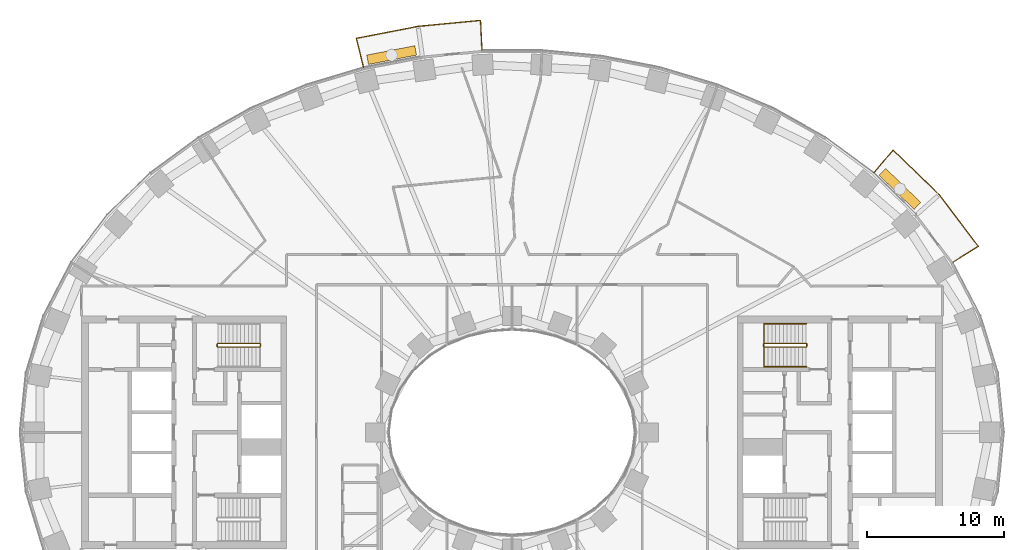
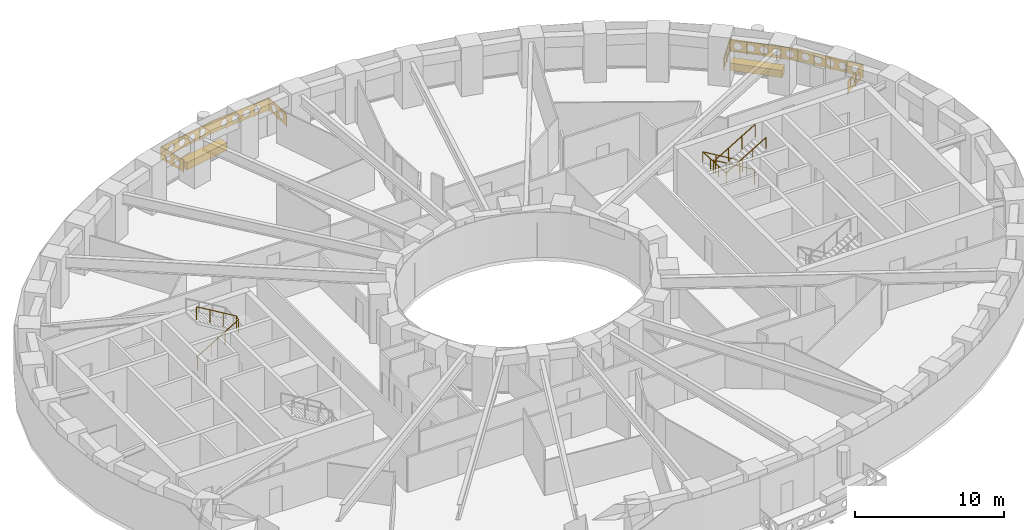
# One storey, part 15 of 16: 5 railings, 2 coverings.
"""IFC4 building model written with IfcOpenShell, lengths in metres."""

from ifc_helpers import new_model, si_unit, direction, frame, origin, origin_2d, place, context, subcontext, project, spatial, polyline, rectangle, outline, extrude, material, type_object, element, save


model = new_model("IFC4")

# Units and contexts
model_context = context("Model", 3, precision=1e-05, world=origin(), true_north=direction((0.0, 1.0)))
body_context = subcontext(model_context, "Body", "Model", "MODEL_VIEW")
ifc_project = project(units=[si_unit("LENGTHUNIT", "METRE"), si_unit("AREAUNIT", "SQUARE_METRE"), si_unit("VOLUMEUNIT", "CUBIC_METRE"), si_unit("PLANEANGLEUNIT", "RADIAN"), si_unit("MASSUNIT", "GRAM", prefix="KILO")], contexts=[model_context])

# Site, building, storey
site_placement = place(None, origin())
site = spatial("IfcSite", under=ifc_project, at=site_placement, CompositionType="ELEMENT")
building_placement = place(site_placement, origin())
building = spatial("IfcBuilding", under=site, at=building_placement, Name="Noorbagh Ring Tower", CompositionType="ELEMENT")
storey_placement = place(building_placement, frame((0.0, 0.0, 42.5)))
storey = spatial("IfcBuildingStorey", under=building, at=storey_placement, Name="L08", CompositionType="ELEMENT", Elevation=42.5)

# Railings
ifc_material_1 = material(Name="Stainless steel", Category="steel")
railing_type_1 = type_object("IfcRailingType", Name="CORE-STAIR-GUARD", PredefinedType="GUARDRAIL", material=ifc_material_1)
railing_1_placement = place(storey_placement, frame((-21.580078125, 6.300048828125, 0.0)))
element("IfcRailing", 1, at=railing_1_placement, inside=storey, type_object=railing_type_1, Name="L08 ST1 stair guard", PredefinedType="GUARDRAIL", context=body_context, shape_type="SweptSolid", body=[
    extrude(rectangle(XDim=0.048095703125, YDim=0.048095703125, at=origin_2d()), frame((0.0, 0.0, 1.076171875), z_axis=(0.0, 1.0, 0.0), x_axis=(-1.0, 0.0, 0.0)), (0.0, 0.0, 1.0), 0.14990234375),
    extrude(rectangle(XDim=0.048095703125, YDim=0.048095703125, at=origin_2d()), frame((0.0, 0.14990234375, 1.076171875), z_axis=(0.188775798145, -0.754182335027, 0.628945707965), x_axis=(0.970072785993, 0.242814311512, 0.0)), (0.0, 0.0, 1.0), 0.26513671875),
    extrude(rectangle(XDim=0.048095703125, YDim=0.048095703125, at=origin_2d()), frame((0.050048828125, -0.050048828125, 1.24267578125), z_axis=(0.859308565015, 0.0, 0.511457515432), x_axis=(0.0, 1.0, 0.0)), (0.0, 0.0, 1.0), 3.58447265625),
    extrude(rectangle(XDim=0.048095703125, YDim=0.048095703125, at=origin_2d()), frame((3.130126953125, -0.050048828125, 3.076171875), z_axis=(0.707106781187, 0.707106781187, 0.0), x_axis=(-0.707106781187, 0.707106781187, 0.0)), (0.0, 0.0, 1.0), 0.07080078125),
    extrude(rectangle(XDim=0.048095703125, YDim=0.048095703125, at=origin_2d()), frame((3.18017578125, 0.0, 3.076171875), z_axis=(0.0, 1.0, 0.0), x_axis=(-1.0, 0.0, 0.0)), (0.0, 0.0, 1.0), 0.14990234375),
    extrude(rectangle(XDim=0.048095703125, YDim=0.048095703125, at=origin_2d()), frame((3.18017578125, 0.14990234375, 3.076171875), z_axis=(-0.27628659633, 0.27628659633, 0.920506074601), x_axis=(-0.707106781187, -0.707106781187, 0.0)), (0.0, 0.0, 1.0), 0.18115234375),
    extrude(rectangle(XDim=0.048095703125, YDim=0.048095703125, at=origin_2d()), frame((3.130126953125, 0.199951171875, 3.24267578125), z_axis=(-0.859308565015, 0.0, 0.511457515432), x_axis=(0.0, -1.0, 0.0)), (0.0, 0.0, 1.0), 3.58447265625),
    extrude(rectangle(XDim=0.0419921875, YDim=0.0419921875, at=origin_2d()), origin(), (0.0, 0.0, 1.0), 1.052001953125),
    extrude(rectangle(XDim=0.0419921875, YDim=0.0419921875, at=origin_2d()), frame((1.07666015625, -0.050048828125, 0.77783203125)), (0.0, 0.0, 1.0), 1.052001953125),
    extrude(rectangle(XDim=0.0419921875, YDim=0.0419921875, at=origin_2d()), frame((2.103515625, -0.050048828125, 1.388916015625)), (0.0, 0.0, 1.0), 1.052001953125),
    extrude(rectangle(XDim=0.0419921875, YDim=0.0419921875, at=origin_2d()), frame((3.130126953125, -0.050048828125, 2.0)), (0.0, 0.0, 1.0), 1.052001953125),
    extrude(rectangle(XDim=0.0419921875, YDim=0.0419921875, at=origin_2d()), frame((3.130126953125, 0.199951171875, 2.166748046875)), (0.0, 0.0, 1.0), 1.052001953125),
    extrude(rectangle(XDim=0.0419921875, YDim=0.0419921875, at=origin_2d()), frame((2.103515625, 0.199951171875, 2.77783203125)), (0.0, 0.0, 1.0), 1.052001953125),
    extrude(rectangle(XDim=0.0419921875, YDim=0.0419921875, at=origin_2d()), frame((1.07666015625, 0.199951171875, 3.388916015625)), (0.0, 0.0, 1.0), 1.052001953125),
    extrude(rectangle(XDim=0.0419921875, YDim=0.0419921875, at=origin_2d()), frame((0.050048828125, 0.199951171875, 4.0)), (0.0, 0.0, 1.0), 1.052001953125),
])
railing_2_placement = place(storey_placement, frame((21.580078125, 6.449951171875, 0.0)))
element("IfcRailing", 2, at=railing_2_placement, inside=storey, type_object=railing_type_1, Name="L08 ST3 stair guard", PredefinedType="GUARDRAIL", context=body_context, shape_type="SweptSolid", body=[
    extrude(rectangle(XDim=0.048095703125, YDim=0.048095703125, at=origin_2d()), frame((0.0, 0.0, 1.076171875), z_axis=(0.0, -1.0, 0.0), x_axis=(1.0, 0.0, 0.0)), (0.0, 0.0, 1.0), 0.14990234375),
    extrude(rectangle(XDim=0.048095703125, YDim=0.048095703125, at=origin_2d()), frame((0.0, -0.14990234375, 1.076171875), z_axis=(-0.188775798145, 0.754182335027, 0.628945707965), x_axis=(-0.970072785993, -0.242814311512, 0.0)), (0.0, 0.0, 1.0), 0.26513671875),
    extrude(rectangle(XDim=0.048095703125, YDim=0.048095703125, at=origin_2d()), frame((-0.050048828125, 0.050048828125, 1.24267578125), z_axis=(-0.859308565015, 0.0, 0.511457515432), x_axis=(0.0, -1.0, 0.0)), (0.0, 0.0, 1.0), 3.58447265625),
    extrude(rectangle(XDim=0.048095703125, YDim=0.048095703125, at=origin_2d()), frame((-3.130126953125, 0.050048828125, 3.076171875), z_axis=(-0.707106781187, -0.707106781187, 0.0), x_axis=(0.707106781187, -0.707106781187, 0.0)), (0.0, 0.0, 1.0), 0.07080078125),
    extrude(rectangle(XDim=0.048095703125, YDim=0.048095703125, at=origin_2d()), frame((-3.18017578125, 0.0, 3.076171875), z_axis=(0.0, -1.0, 0.0), x_axis=(1.0, 0.0, 0.0)), (0.0, 0.0, 1.0), 0.14990234375),
    extrude(rectangle(XDim=0.048095703125, YDim=0.048095703125, at=origin_2d()), frame((-3.18017578125, -0.14990234375, 3.076171875), z_axis=(0.27628659633, -0.27628659633, 0.920506074601), x_axis=(0.707106781187, 0.707106781187, 0.0)), (0.0, 0.0, 1.0), 0.18115234375),
    extrude(rectangle(XDim=0.048095703125, YDim=0.048095703125, at=origin_2d()), frame((-3.130126953125, -0.199951171875, 3.24267578125), z_axis=(0.859308565015, 0.0, 0.511457515432), x_axis=(0.0, 1.0, 0.0)), (0.0, 0.0, 1.0), 3.58447265625),
    extrude(rectangle(XDim=0.0419921875, YDim=0.0419921875, at=origin_2d()), origin(), (0.0, 0.0, 1.0), 1.052001953125),
    extrude(rectangle(XDim=0.0419921875, YDim=0.0419921875, at=origin_2d()), frame((-1.07666015625, 0.050048828125, 0.77783203125)), (0.0, 0.0, 1.0), 1.052001953125),
    extrude(rectangle(XDim=0.0419921875, YDim=0.0419921875, at=origin_2d()), frame((-2.103515625, 0.050048828125, 1.388916015625)), (0.0, 0.0, 1.0), 1.052001953125),
    extrude(rectangle(XDim=0.0419921875, YDim=0.0419921875, at=origin_2d()), frame((-3.130126953125, 0.050048828125, 2.0)), (0.0, 0.0, 1.0), 1.052001953125),
    extrude(rectangle(XDim=0.0419921875, YDim=0.0419921875, at=origin_2d()), frame((-3.130126953125, -0.199951171875, 2.166748046875)), (0.0, 0.0, 1.0), 1.052001953125),
    extrude(rectangle(XDim=0.0419921875, YDim=0.0419921875, at=origin_2d()), frame((-2.103515625, -0.199951171875, 2.77783203125)), (0.0, 0.0, 1.0), 1.052001953125),
    extrude(rectangle(XDim=0.0419921875, YDim=0.0419921875, at=origin_2d()), frame((-1.07666015625, -0.199951171875, 3.388916015625)), (0.0, 0.0, 1.0), 1.052001953125),
    extrude(rectangle(XDim=0.0419921875, YDim=0.0419921875, at=origin_2d()), frame((-0.050048828125, -0.199951171875, 4.0)), (0.0, 0.0, 1.0), 1.052001953125),
])
ifc_material_2 = material(Name="Stainless steel", Category="steel")
railing_type_2 = type_object("IfcRailingType", Name="CORE-STAIR-HANDRAIL", PredefinedType="HANDRAIL", material=ifc_material_2)
railing_3_placement = place(storey_placement, frame((21.530029296875, 7.949951171875, 0.166748046875)))
element("IfcRailing", 3, at=railing_3_placement, inside=storey, type_object=railing_type_2, Name="L08 ST3 stair handrail", PredefinedType="HANDRAIL", context=body_context, shape_type="SweptSolid", body=[
    extrude(rectangle(XDim=0.048095703125, YDim=0.048095703125, at=origin_2d()), frame((0.0, 0.0, 0.8759765625), z_axis=(-0.859308565015, 0.0, 0.511457515432), x_axis=(0.0, -1.0, 0.0)), (0.0, 0.0, 1.0), 3.58447265625),
    extrude(rectangle(XDim=0.048095703125, YDim=0.048095703125, at=origin_2d()), frame((-3.080078125, 0.0, 2.708984375), z_axis=(0.0, -0.998601747152, 0.052863509014), x_axis=(1.0, 0.0, 0.0)), (0.0, 0.0, 1.0), 3.154296875),
    extrude(rectangle(XDim=0.048095703125, YDim=0.048095703125, at=origin_2d()), frame((-3.080078125, -3.14990234375, 2.8759765625), z_axis=(0.859308565015, 0.0, 0.511457515432), x_axis=(0.0, 1.0, 0.0)), (0.0, 0.0, 1.0), 3.58447265625),
    extrude(rectangle(XDim=0.0419921875, YDim=0.0419921875, at=origin_2d()), origin(), (0.0, 0.0, 1.0), 0.851806640625),
    extrude(rectangle(XDim=0.0419921875, YDim=0.0419921875, at=origin_2d()), frame((-1.026611328125, 0.0, 0.611083984375)), (0.0, 0.0, 1.0), 0.851806640625),
    extrude(rectangle(XDim=0.0419921875, YDim=0.0419921875, at=origin_2d()), frame((-2.053466796875, 0.0, 1.22216796875)), (0.0, 0.0, 1.0), 0.851806640625),
    extrude(rectangle(XDim=0.0419921875, YDim=0.0419921875, at=origin_2d()), frame((-3.080078125, 0.0, 1.833251953125)), (0.0, 0.0, 1.0), 0.851806640625),
    extrude(rectangle(XDim=0.0419921875, YDim=0.0419921875, at=origin_2d()), frame((-3.080078125, -1.050048828125, 1.888916015625)), (0.0, 0.0, 1.0), 0.851806640625),
    extrude(rectangle(XDim=0.0419921875, YDim=0.0419921875, at=origin_2d()), frame((-3.080078125, -2.099853515625, 1.9443359375)), (0.0, 0.0, 1.0), 0.851806640625),
    extrude(rectangle(XDim=0.0419921875, YDim=0.0419921875, at=origin_2d()), frame((-3.080078125, -3.14990234375, 2.0)), (0.0, 0.0, 1.0), 0.851806640625),
    extrude(rectangle(XDim=0.0419921875, YDim=0.0419921875, at=origin_2d()), frame((-2.053466796875, -3.14990234375, 2.611083984375)), (0.0, 0.0, 1.0), 0.851806640625),
    extrude(rectangle(XDim=0.0419921875, YDim=0.0419921875, at=origin_2d()), frame((-1.026611328125, -3.14990234375, 3.22216796875)), (0.0, 0.0, 1.0), 0.851806640625),
    extrude(rectangle(XDim=0.0419921875, YDim=0.0419921875, at=origin_2d()), frame((0.0, -3.14990234375, 3.833251953125)), (0.0, 0.0, 1.0), 0.851806640625),
])
ifc_material_3 = material(Name="Steel S275 black powder-coated", Category="steel")
railing_type_3 = type_object("IfcRailingType", Name="ENV-GUARD", PredefinedType="GUARDRAIL", material=ifc_material_3)
railing_4_placement = place(storey_placement, frame((32.255126953125, 12.434814453125, 0.0)))
element("IfcRailing", 4, at=railing_4_placement, inside=storey, type_object=railing_type_3, Name="Balcony guard BN01", PredefinedType="GUARDRAIL", context=body_context, shape_type="SweptSolid", body=[
    extrude(rectangle(XDim=0.048095703125, YDim=0.048095703125, at=origin_2d()), frame((0.0, 0.0, 1.076171875), z_axis=(0.844852397829, 0.534999463442, 0.0), x_axis=(-0.534999463442, 0.844852397829, 0.0)), (0.0, 0.0, 1.0), 2.207763671875),
    extrude(rectangle(XDim=0.048095703125, YDim=0.048095703125, at=origin_2d()), frame((1.865234375, 1.18115234375, 1.076171875), z_axis=(-0.604001613322, 0.796983093362, 0.0), x_axis=(-0.796983093362, -0.604001613322, 0.0)), (0.0, 0.0, 1.0), 4.7353515625),
    extrude(rectangle(XDim=0.048095703125, YDim=0.048095703125, at=origin_2d()), frame((-0.994873046875, 4.955078125, 1.076171875), z_axis=(-0.717212632946, 0.696854388766, 0.0), x_axis=(-0.696854388766, -0.717212632946, 0.0)), (0.0, 0.0, 1.0), 4.700927734375),
    extrude(rectangle(XDim=0.048095703125, YDim=0.048095703125, at=origin_2d()), frame((-4.366455078125, 8.23095703125, 1.076171875), z_axis=(-0.646413574048, -0.762987215677, 0.0), x_axis=(0.762987215677, -0.646413574048, 0.0)), (0.0, 0.0, 1.0), 2.205322265625),
    extrude(rectangle(XDim=0.0419921875, YDim=0.0419921875, at=origin_2d()), origin(), (0.0, 0.0, 1.0), 1.052001953125),
    extrude(rectangle(XDim=0.0419921875, YDim=0.0419921875, at=origin_2d()), frame((0.9326171875, 0.590576171875, 0.0)), (0.0, 0.0, 1.0), 1.052001953125),
    extrude(rectangle(XDim=0.0419921875, YDim=0.0419921875, at=origin_2d()), frame((1.865234375, 1.18115234375, 0.0)), (0.0, 0.0, 1.0), 1.052001953125),
    extrude(rectangle(XDim=0.0419921875, YDim=0.0419921875, at=origin_2d()), frame((1.150146484375, 2.12451171875, 0.0)), (0.0, 0.0, 1.0), 1.052001953125),
    extrude(rectangle(XDim=0.0419921875, YDim=0.0419921875, at=origin_2d()), frame((0.43505859375, 3.068115234375, 0.0)), (0.0, 0.0, 1.0), 1.052001953125),
    extrude(rectangle(XDim=0.0419921875, YDim=0.0419921875, at=origin_2d()), frame((-0.27978515625, 4.01171875, 0.0)), (0.0, 0.0, 1.0), 1.052001953125),
    extrude(rectangle(XDim=0.0419921875, YDim=0.0419921875, at=origin_2d()), frame((-0.994873046875, 4.955078125, 0.0)), (0.0, 0.0, 1.0), 1.052001953125),
    extrude(rectangle(XDim=0.0419921875, YDim=0.0419921875, at=origin_2d()), frame((-1.837890625, 5.77392578125, 0.0)), (0.0, 0.0, 1.0), 1.052001953125),
    extrude(rectangle(XDim=0.0419921875, YDim=0.0419921875, at=origin_2d()), frame((-2.6806640625, 6.593017578125, 0.0)), (0.0, 0.0, 1.0), 1.052001953125),
    extrude(rectangle(XDim=0.0419921875, YDim=0.0419921875, at=origin_2d()), frame((-3.5234375, 7.412109375, 0.0)), (0.0, 0.0, 1.0), 1.052001953125),
    extrude(rectangle(XDim=0.0419921875, YDim=0.0419921875, at=origin_2d()), frame((-4.366455078125, 8.23095703125, 0.0)), (0.0, 0.0, 1.0), 1.052001953125),
    extrude(rectangle(XDim=0.0419921875, YDim=0.0419921875, at=origin_2d()), frame((-5.0791015625, 7.3896484375, 0.0)), (0.0, 0.0, 1.0), 1.052001953125),
    extrude(rectangle(XDim=0.0419921875, YDim=0.0419921875, at=origin_2d()), frame((-5.7919921875, 6.54833984375, 0.0)), (0.0, 0.0, 1.0), 1.052001953125),
    extrude(outline(polyline([(0.0, 0.10009765625), (2.207763671875, 0.10009765625), (2.207763671875, 1.031982421875), (0.0, 1.031982421875), (0.0, 0.10009765625)]), holes=[polyline([(0.9638671875, 0.56591796875), (0.808837890625, 0.83447265625), (0.498779296875, 0.83447265625), (0.343994140625, 0.56591796875), (0.498779296875, 0.297607421875), (0.808837890625, 0.297607421875), (0.9638671875, 0.56591796875)]), polyline([(1.86376953125, 0.56591796875), (1.708984375, 0.83447265625), (1.39892578125, 0.83447265625), (1.243896484375, 0.56591796875), (1.39892578125, 0.297607421875), (1.708984375, 0.297607421875), (1.86376953125, 0.56591796875)])]), frame((-0.00537109375, 0.008544921875, 0.0), z_axis=(0.534999463442, -0.844852397829, 0.0), x_axis=(0.844852397829, 0.534999463442, 0.0)), (0.0, 0.0, 1.0), 0.02001953125),
    extrude(outline(polyline([(0.0, 0.10009765625), (4.7353515625, 0.10009765625), (4.7353515625, 1.031982421875), (0.0, 1.031982421875), (0.0, 0.10009765625)]), holes=[polyline([(0.877685546875, 0.56591796875), (0.72265625, 0.83447265625), (0.41259765625, 0.83447265625), (0.257568359375, 0.56591796875), (0.41259765625, 0.297607421875), (0.72265625, 0.297607421875), (0.877685546875, 0.56591796875)]), polyline([(1.777587890625, 0.56591796875), (1.62255859375, 0.83447265625), (1.312744140625, 0.83447265625), (1.15771484375, 0.56591796875), (1.312744140625, 0.297607421875), (1.62255859375, 0.297607421875), (1.777587890625, 0.56591796875)]), polyline([(2.677734375, 0.56591796875), (2.522705078125, 0.83447265625), (2.212646484375, 0.83447265625), (2.0576171875, 0.56591796875), (2.212646484375, 0.297607421875), (2.522705078125, 0.297607421875), (2.677734375, 0.56591796875)]), polyline([(3.57763671875, 0.56591796875), (3.422607421875, 0.83447265625), (3.112548828125, 0.83447265625), (2.95751953125, 0.56591796875), (3.112548828125, 0.297607421875), (3.422607421875, 0.297607421875), (3.57763671875, 0.56591796875)]), polyline([(4.4775390625, 0.56591796875), (4.32275390625, 0.83447265625), (4.0126953125, 0.83447265625), (3.857666015625, 0.56591796875), (4.0126953125, 0.297607421875), (4.32275390625, 0.297607421875), (4.4775390625, 0.56591796875)])]), frame((1.857177734375, 1.175048828125, 0.0), z_axis=(0.796983093362, 0.604001613322, 0.0), x_axis=(-0.604001613322, 0.796983093362, 0.0)), (0.0, 0.0, 1.0), 0.02001953125),
    extrude(outline(polyline([(0.0, 0.10009765625), (4.700927734375, 0.10009765625), (4.700927734375, 1.031982421875), (0.0, 1.031982421875), (0.0, 0.10009765625)]), holes=[polyline([(0.860595703125, 0.56591796875), (0.70556640625, 0.83447265625), (0.3955078125, 0.83447265625), (0.240478515625, 0.56591796875), (0.3955078125, 0.297607421875), (0.70556640625, 0.297607421875), (0.860595703125, 0.56591796875)]), polyline([(1.760498046875, 0.56591796875), (1.60546875, 0.83447265625), (1.29541015625, 0.83447265625), (1.140380859375, 0.56591796875), (1.29541015625, 0.297607421875), (1.60546875, 0.297607421875), (1.760498046875, 0.56591796875)]), polyline([(2.660400390625, 0.56591796875), (2.50537109375, 0.83447265625), (2.195556640625, 0.83447265625), (2.04052734375, 0.56591796875), (2.195556640625, 0.297607421875), (2.50537109375, 0.297607421875), (2.660400390625, 0.56591796875)]), polyline([(3.560546875, 0.56591796875), (3.405517578125, 0.83447265625), (3.095458984375, 0.83447265625), (2.9404296875, 0.56591796875), (3.095458984375, 0.297607421875), (3.405517578125, 0.297607421875), (3.560546875, 0.56591796875)]), polyline([(4.46044921875, 0.56591796875), (4.305419921875, 0.83447265625), (3.995361328125, 0.83447265625), (3.840576171875, 0.56591796875), (3.995361328125, 0.297607421875), (4.305419921875, 0.297607421875), (4.46044921875, 0.56591796875)])]), frame((-1.001953125, 4.947998046875, 0.0), z_axis=(0.696854388766, 0.717212632946, 0.0), x_axis=(-0.717212632946, 0.696854388766, 0.0)), (0.0, 0.0, 1.0), 0.02001953125),
    extrude(outline(polyline([(0.0, 0.10009765625), (2.205322265625, 0.10009765625), (2.205322265625, 1.031982421875), (0.0, 1.031982421875), (0.0, 0.10009765625)]), holes=[polyline([(0.962646484375, 0.56591796875), (0.8076171875, 0.83447265625), (0.49755859375, 0.83447265625), (0.342529296875, 0.56591796875), (0.49755859375, 0.297607421875), (0.8076171875, 0.297607421875), (0.962646484375, 0.56591796875)]), polyline([(1.862548828125, 0.56591796875), (1.707763671875, 0.83447265625), (1.397705078125, 0.83447265625), (1.24267578125, 0.56591796875), (1.397705078125, 0.297607421875), (1.707763671875, 0.297607421875), (1.862548828125, 0.56591796875)])]), frame((-4.35888671875, 8.224609375, 0.0), z_axis=(-0.762987215677, 0.646413574048, 0.0), x_axis=(-0.646413574048, -0.762987215677, 0.0)), (0.0, 0.0, 1.0), 0.02001953125),
])
railing_5_placement = place(storey_placement, frame((-2.193115234375, 27.947998046875, 0.0)))
element("IfcRailing", 5, at=railing_5_placement, inside=storey, type_object=railing_type_3, Name="Balcony guard BN04", PredefinedType="GUARDRAIL", context=body_context, shape_type="SweptSolid", body=[
    extrude(rectangle(XDim=0.048095703125, YDim=0.048095703125, at=origin_2d()), frame((0.0, 0.0, 1.076171875), z_axis=(-0.047554616162, 0.998868639252, 0.0), x_axis=(-0.998868639252, -0.047554616162, 0.0)), (0.0, 0.0, 1.0), 2.202392578125),
    extrude(rectangle(XDim=0.048095703125, YDim=0.048095703125, at=origin_2d()), frame((-0.104736328125, 2.199951171875, 1.076171875), z_axis=(-0.995477555764, -0.094997031379, 0.0), x_axis=(0.094997031379, -0.995477555764, 0.0)), (0.0, 0.0, 1.0), 4.59765625),
    extrude(rectangle(XDim=0.048095703125, YDim=0.048095703125, at=origin_2d()), frame((-4.681640625, 1.76318359375, 1.076171875), z_axis=(-0.981625049064, -0.1908199755, 0.0), x_axis=(0.1908199755, -0.981625049064, 0.0)), (0.0, 0.0, 1.0), 4.603271484375),
    extrude(rectangle(XDim=0.048095703125, YDim=0.048095703125, at=origin_2d()), frame((-9.200439453125, 0.884765625, 1.076171875), z_axis=(0.239848558412, -0.970810315679, 0.0), x_axis=(0.970810315679, 0.239848558412, 0.0)), (0.0, 0.0, 1.0), 2.20263671875),
    extrude(rectangle(XDim=0.0419921875, YDim=0.0419921875, at=origin_2d()), origin(), (0.0, 0.0, 1.0), 1.052001953125),
    extrude(rectangle(XDim=0.0419921875, YDim=0.0419921875, at=origin_2d()), frame((-0.05224609375, 1.10009765625, 0.0)), (0.0, 0.0, 1.0), 1.052001953125),
    extrude(rectangle(XDim=0.0419921875, YDim=0.0419921875, at=origin_2d()), frame((-0.104736328125, 2.199951171875, 0.0)), (0.0, 0.0, 1.0), 1.052001953125),
    extrude(rectangle(XDim=0.0419921875, YDim=0.0419921875, at=origin_2d()), frame((-1.2490234375, 2.0908203125, 0.0)), (0.0, 0.0, 1.0), 1.052001953125),
    extrude(rectangle(XDim=0.0419921875, YDim=0.0419921875, at=origin_2d()), frame((-2.39306640625, 1.9814453125, 0.0)), (0.0, 0.0, 1.0), 1.052001953125),
    extrude(rectangle(XDim=0.0419921875, YDim=0.0419921875, at=origin_2d()), frame((-3.537353515625, 1.872314453125, 0.0)), (0.0, 0.0, 1.0), 1.052001953125),
    extrude(rectangle(XDim=0.0419921875, YDim=0.0419921875, at=origin_2d()), frame((-4.681640625, 1.76318359375, 0.0)), (0.0, 0.0, 1.0), 1.052001953125),
    extrude(rectangle(XDim=0.0419921875, YDim=0.0419921875, at=origin_2d()), frame((-5.811279296875, 1.54345703125, 0.0)), (0.0, 0.0, 1.0), 1.052001953125),
    extrude(rectangle(XDim=0.0419921875, YDim=0.0419921875, at=origin_2d()), frame((-6.94091796875, 1.323974609375, 0.0)), (0.0, 0.0, 1.0), 1.052001953125),
    extrude(rectangle(XDim=0.0419921875, YDim=0.0419921875, at=origin_2d()), frame((-8.07080078125, 1.1044921875, 0.0)), (0.0, 0.0, 1.0), 1.052001953125),
    extrude(rectangle(XDim=0.0419921875, YDim=0.0419921875, at=origin_2d()), frame((-9.200439453125, 0.884765625, 0.0)), (0.0, 0.0, 1.0), 1.052001953125),
    extrude(rectangle(XDim=0.0419921875, YDim=0.0419921875, at=origin_2d()), frame((-8.936279296875, -0.1845703125, 0.0)), (0.0, 0.0, 1.0), 1.052001953125),
    extrude(rectangle(XDim=0.0419921875, YDim=0.0419921875, at=origin_2d()), frame((-8.672119140625, -1.253662109375, 0.0)), (0.0, 0.0, 1.0), 1.052001953125),
    extrude(outline(polyline([(0.0, 0.10009765625), (2.202392578125, 0.10009765625), (2.202392578125, 1.031982421875), (0.0, 1.031982421875), (0.0, 0.10009765625)]), holes=[polyline([(0.961181640625, 0.56591796875), (0.80615234375, 0.83447265625), (0.496337890625, 0.83447265625), (0.34130859375, 0.56591796875), (0.496337890625, 0.297607421875), (0.80615234375, 0.297607421875), (0.961181640625, 0.56591796875)]), polyline([(1.861328125, 0.56591796875), (1.706298828125, 0.83447265625), (1.396240234375, 0.83447265625), (1.2412109375, 0.56591796875), (1.396240234375, 0.297607421875), (1.706298828125, 0.297607421875), (1.861328125, 0.56591796875)])]), frame((-0.010009765625, -0.00048828125, 0.0), z_axis=(0.998868639252, 0.047554616162, 0.0), x_axis=(-0.047554616162, 0.998868639252, 0.0)), (0.0, 0.0, 1.0), 0.02001953125),
    extrude(outline(polyline([(0.0, 0.10009765625), (4.59765625, 0.10009765625), (4.59765625, 1.031982421875), (0.0, 1.031982421875), (0.0, 0.10009765625)]), holes=[polyline([(1.2587890625, 0.56591796875), (1.103759765625, 0.83447265625), (0.7939453125, 0.83447265625), (0.638916015625, 0.56591796875), (0.7939453125, 0.297607421875), (1.103759765625, 0.297607421875), (1.2587890625, 0.56591796875)]), polyline([(2.158935546875, 0.56591796875), (2.00390625, 0.83447265625), (1.69384765625, 0.83447265625), (1.538818359375, 0.56591796875), (1.69384765625, 0.297607421875), (2.00390625, 0.297607421875), (2.158935546875, 0.56591796875)]), polyline([(3.058837890625, 0.56591796875), (2.90380859375, 0.83447265625), (2.59375, 0.83447265625), (2.43896484375, 0.56591796875), (2.59375, 0.297607421875), (2.90380859375, 0.297607421875), (3.058837890625, 0.56591796875)]), polyline([(3.958740234375, 0.56591796875), (3.803955078125, 0.83447265625), (3.493896484375, 0.83447265625), (3.3388671875, 0.56591796875), (3.493896484375, 0.297607421875), (3.803955078125, 0.297607421875), (3.958740234375, 0.56591796875)])]), frame((-0.103759765625, 2.18994140625, 0.0), z_axis=(-0.094997031379, 0.995477555764, 0.0), x_axis=(-0.995477555764, -0.094997031379, 0.0)), (0.0, 0.0, 1.0), 0.02001953125),
    extrude(outline(polyline([(0.0, 0.10009765625), (4.603271484375, 0.10009765625), (4.603271484375, 1.031982421875), (0.0, 1.031982421875), (0.0, 0.10009765625)]), holes=[polyline([(1.26171875, 0.56591796875), (1.106689453125, 0.83447265625), (0.796630859375, 0.83447265625), (0.6416015625, 0.56591796875), (0.796630859375, 0.297607421875), (1.106689453125, 0.297607421875), (1.26171875, 0.56591796875)]), polyline([(2.16162109375, 0.56591796875), (2.006591796875, 0.83447265625), (1.69677734375, 0.83447265625), (1.541748046875, 0.56591796875), (1.69677734375, 0.297607421875), (2.006591796875, 0.297607421875), (2.16162109375, 0.56591796875)]), polyline([(3.061767578125, 0.56591796875), (2.90673828125, 0.83447265625), (2.5966796875, 0.83447265625), (2.441650390625, 0.56591796875), (2.5966796875, 0.297607421875), (2.90673828125, 0.297607421875), (3.061767578125, 0.56591796875)]), polyline([(3.961669921875, 0.56591796875), (3.806640625, 0.83447265625), (3.49658203125, 0.83447265625), (3.341796875, 0.56591796875), (3.49658203125, 0.297607421875), (3.806640625, 0.297607421875), (3.961669921875, 0.56591796875)])]), frame((-4.6796875, 1.75341796875, 0.0), z_axis=(-0.1908199755, 0.981625049064, 0.0), x_axis=(-0.981625049064, -0.1908199755, 0.0)), (0.0, 0.0, 1.0), 0.02001953125),
    extrude(outline(polyline([(0.0, 0.10009765625), (2.20263671875, 0.10009765625), (2.20263671875, 1.031982421875), (0.0, 1.031982421875), (0.0, 0.10009765625)]), holes=[polyline([(0.96142578125, 0.56591796875), (0.806396484375, 0.83447265625), (0.496337890625, 0.83447265625), (0.34130859375, 0.56591796875), (0.496337890625, 0.297607421875), (0.806396484375, 0.297607421875), (0.96142578125, 0.56591796875)]), polyline([(1.861328125, 0.56591796875), (1.706298828125, 0.83447265625), (1.396240234375, 0.83447265625), (1.241455078125, 0.56591796875), (1.396240234375, 0.297607421875), (1.706298828125, 0.297607421875), (1.861328125, 0.56591796875)])]), frame((-9.190673828125, 0.88720703125, 0.0), z_axis=(-0.970810315679, -0.239848558412, 0.0), x_axis=(0.239848558412, -0.970810315679, 0.0)), (0.0, 0.0, 1.0), 0.02001953125),
])

# Coverings
ifc_material_4 = material(Name="Concrete C30/37 planter with soil", Category="concrete")
covering_type = type_object("IfcCoveringType", Name="ENV-PLANTER", PredefinedType="CLADDING", material=ifc_material_4)
covering_1_placement = place(storey_placement, frame((28.3837890625, 17.814208984375, 0.0), z_axis=(0.0, 0.0, 1.0), x_axis=(-0.717224548362, 0.696842125038, 0.0)))
element("IfcCovering", 6, at=covering_1_placement, inside=storey, type_object=covering_type, Name="PLANTER BN01", ObjectType="PLANTER", PredefinedType="CLADDING", context=body_context, shape_type="SweptSolid", body=[
    extrude(rectangle(XDim=3.584228515625, YDim=0.699951171875, at=origin_2d()), origin(), (0.0, 0.0, 1.0), 0.60009765625),
])
covering_2_placement = place(storey_placement, frame((-8.807861328125, 27.603515625, 0.0), z_axis=(0.0, 0.0, 1.0), x_axis=(-0.981624952922, -0.190820470077, 0.0)))
element("IfcCovering", 7, at=covering_2_placement, inside=storey, type_object=covering_type, Name="PLANTER BN04", ObjectType="PLANTER", PredefinedType="CLADDING", context=body_context, shape_type="SweptSolid", body=[
    extrude(rectangle(XDim=3.586181640625, YDim=0.699951171875, at=origin_2d()), origin(), (0.0, 0.0, 1.0), 0.60009765625),
])

save(model, "model.ifc")
